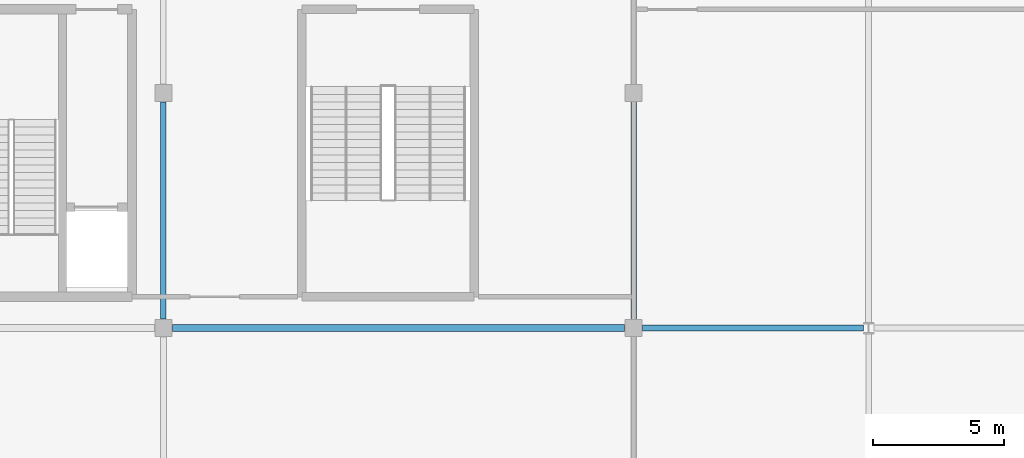
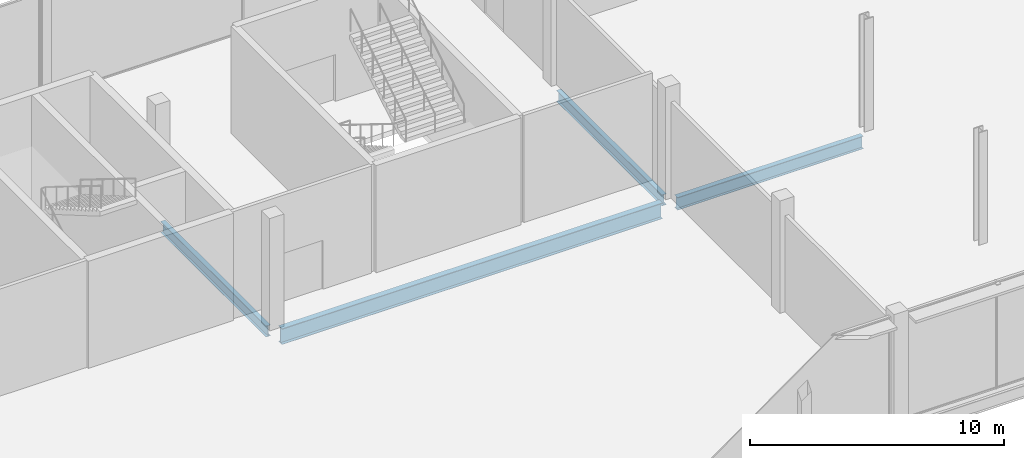
# One storey, part 47 of 113: 4 beams.
"""IFC4 building model written with IfcOpenShell, lengths in metres."""

import ifcopenshell
import ifcopenshell.guid

model = None  # the IFC model being written
_history = None  # IfcOwnerHistory: only IFC2X3 demands one
_inside = {}  # id of a spatial element -> (the spatial element, [elements in it])
_under = {}  # id of a project, library or spatial element -> (it, [spatial elements below it])
_declared = {}  # id of a project -> (the project, [libraries it declares])
_typed = {}  # id of a type object -> (the type object, [elements of that type])
_made_of = {}  # id of a material, layer set ... -> (it, [elements and type objects made of it])


def new_model(schema):
    """Start an empty IFC model of exactly this schema.

    Asked for "IFC4X3", IfcOpenShell would pick the latest addendum, in which some entities
    have other attributes; the version numbers below select the first issue.
    IFC2X3 requires an IfcOwnerHistory on every rooted entity: one is made here for all.
    """
    global model, _history
    if schema == "IFC4X3":
        model = ifcopenshell.file(schema_version=(4, 3, 0, 0))
    else:
        model = ifcopenshell.file(schema=schema)
    _inside.clear()
    _under.clear()
    _declared.clear()
    _typed.clear()
    _made_of.clear()
    _history = None
    if model.schema == "IFC2X3":
        org = make("IfcOrganization", Name="unknown")
        user = make(
            "IfcPersonAndOrganization",
            ThePerson=make("IfcPerson", FamilyName="unknown"),
            TheOrganization=org,
        )
        app = make(
            "IfcApplication",
            ApplicationDeveloper=org,
            Version="unknown",
            ApplicationFullName="unknown",
            ApplicationIdentifier="unknown",
        )
        _history = make(
            "IfcOwnerHistory",
            OwningUser=user,
            OwningApplication=app,
            ChangeAction="ADDED",
            CreationDate=0,
        )
    return model


def make(cls, **values):
    """One entity of the class cls with the attributes given. An attribute that is None is left unset."""
    return model.create_entity(
        cls, **{name: value for name, value in values.items() if value is not None}
    )


def rooted(cls, **values):
    """An entity with a GlobalId (a new one), such as an element, a storey or a relation."""
    return make(cls, GlobalId=ifcopenshell.guid.new(), OwnerHistory=_history, **values)


def si_unit(unit_type, name, prefix=None):
    """IfcSIUnit, for example si_unit("LENGTHUNIT", "METRE", prefix="MILLI")."""
    return make("IfcSIUnit", UnitType=unit_type, Prefix=prefix, Name=name)


def assignment(units):
    """IfcUnitAssignment: the units of a project."""
    return None if units is None else make("IfcUnitAssignment", Units=units)


def point(xyz):
    """IfcCartesianPoint."""
    return None if xyz is None else make("IfcCartesianPoint", Coordinates=xyz)


def direction(xyz):
    """IfcDirection."""
    return None if xyz is None else make("IfcDirection", DirectionRatios=xyz)


def frame(location, z_axis=None, x_axis=None):
    """IfcAxis2Placement3D, a coordinate frame: its origin and axes. An axis left out is left unset."""
    return make(
        "IfcAxis2Placement3D",
        Location=point(location),
        Axis=direction(z_axis),
        RefDirection=direction(x_axis),
    )


def frame_2d(location, x_axis=None):
    """IfcAxis2Placement2D, a coordinate frame in the plane: its origin and x axis."""
    return make(
        "IfcAxis2Placement2D", Location=point(location), RefDirection=direction(x_axis)
    )


def origin():
    """The frame at (0, 0, 0) with its axes left unset."""
    return frame((0.0, 0.0, 0.0))


def origin_2d():
    """The frame at (0, 0) in the plane with its x axis left unset."""
    return frame_2d((0.0, 0.0))


def place(relative_to, where):
    """IfcLocalPlacement: puts the frame where relative to a parent placement (None: the world)."""
    return make(
        "IfcLocalPlacement", PlacementRelTo=relative_to, RelativePlacement=where
    )


def context(
    kind, dimensions, precision=None, world=None, true_north=None, identifier=None
):
    """IfcGeometricRepresentationContext, for example the 3D "Model" context."""
    return make(
        "IfcGeometricRepresentationContext",
        ContextIdentifier=identifier,
        ContextType=kind,
        CoordinateSpaceDimension=dimensions,
        Precision=precision,
        WorldCoordinateSystem=world,
        TrueNorth=true_north,
    )


def subcontext(parent, identifier, kind, view, scale=None):
    """IfcGeometricRepresentationSubContext, for example "Body" below "Model"."""
    return make(
        "IfcGeometricRepresentationSubContext",
        ContextIdentifier=identifier,
        ContextType=kind,
        ParentContext=parent,
        TargetScale=scale,
        TargetView=view,
    )


def project(units=None, contexts=None):
    """IfcProject with its units and contexts."""
    return rooted(
        "IfcProject",
        Name="project",
        RepresentationContexts=contexts,
        UnitsInContext=assignment(units),
    )


def spatial(cls, under=None, at=None, **own):
    """A site, building, storey or space (cls), placed at a placement, below another one or the project."""
    s = rooted(cls, ObjectPlacement=at, **own)
    if under is not None:
        _under.setdefault(under.id(), (under, []))[1].append(s)
    return s


def profile(cls, at=None, kind="AREA", **sizes):
    """A parametric profile (cls). Its sizes go by their IFC names, for example OverallWidth=200.0."""
    return make(cls, ProfileType=kind, Position=at, **sizes)


def i_section(**sizes):
    """IfcIShapeProfileDef."""
    return profile("IfcIShapeProfileDef", **sizes)


def extrude(swept, where, along, depth):
    """IfcExtrudedAreaSolid: the profile swept, set in the frame where, extruded along a direction by depth."""
    return make(
        "IfcExtrudedAreaSolid",
        SweptArea=swept,
        Position=where,
        ExtrudedDirection=direction(along),
        Depth=depth,
    )


def shape(context_of_items, identifier, shape_type, items):
    """IfcShapeRepresentation: the items that make up one representation, for example the "Body"."""
    return make(
        "IfcShapeRepresentation",
        ContextOfItems=context_of_items,
        RepresentationIdentifier=identifier,
        RepresentationType=shape_type,
        Items=items,
    )


def material(Name=None, Category=None):
    """IfcMaterial."""
    return make("IfcMaterial", Name=Name, Category=Category)


def material_profile(
    of_material, cross_section, Name=None, Category=None, Priority=None
):
    """IfcMaterialProfile: a cross section and its material."""
    return make(
        "IfcMaterialProfile",
        Name=Name,
        Material=of_material,
        Profile=cross_section,
        Priority=Priority,
        Category=Category,
    )


def profile_set(profiles, Name=None, composite=None):
    """IfcMaterialProfileSet."""
    return make(
        "IfcMaterialProfileSet",
        Name=Name,
        MaterialProfiles=profiles,
        CompositeProfile=composite,
    )


def made_of(thing, what):
    """Note that an element or type object is made of a material, layer set ...; save() writes the relation."""
    if what is not None:
        _made_of.setdefault(what.id(), (what, []))[1].append(thing)
    return thing


def type_object(cls, material=None, **own):
    """A type object (cls), such as IfcWallType, which elements share."""
    return made_of(rooted(cls, **own), material)


def element(
    cls,
    number,
    at=None,
    inside=None,
    cuts=None,
    type_object=None,
    material=None,
    context=None,
    identifier="Body",
    shape_type=None,
    held_by="IfcProductDefinitionShape",
    body=None,
    shapes=None,
    **own,
):
    """One element of the class cls, such as IfcWall. Its Tag is "e" and its number.

    at: its placement. inside: the storey or other place that contains it. cuts: it is an
    opening in that element (IfcRelVoidsElement). A single representation is given by context,
    identifier, shape_type and body (its items); several are given by shapes. held_by: the class
    of the entity that holds the representations. save() writes the other relations.
    """
    e = rooted(cls, Tag="e%d" % number, ObjectPlacement=at, **own)
    if body is not None:
        shapes = [shape(context, identifier, shape_type, body)]
    if shapes is not None:
        e.Representation = make(held_by, Representations=shapes)
    if inside is not None:
        _inside.setdefault(inside.id(), (inside, []))[1].append(e)
    if cuts is not None:
        rooted(
            "IfcRelVoidsElement", RelatingBuildingElement=cuts, RelatedOpeningElement=e
        )
    if type_object is not None:
        _typed.setdefault(type_object.id(), (type_object, []))[1].append(e)
    return made_of(e, material)


def aggregate(whole, parts):
    """IfcRelAggregates: a whole, such as a stair, and the parts it consists of."""
    return rooted("IfcRelAggregates", RelatingObject=whole, RelatedObjects=parts)


def save(model, path):
    """Write the relations noted so far, then the file.

    IfcRelAggregates (storeys below a building ...), IfcRelContainedInSpatialStructure (elements
    in a storey), IfcRelDefinesByType, IfcRelAssociatesMaterial and IfcRelDeclares: one each for
    every whole, place, type object, material and project.
    """
    for whole, parts in _under.values():
        aggregate(whole, parts)
    for where, things in _inside.values():
        rooted(
            "IfcRelContainedInSpatialStructure",
            RelatedElements=things,
            RelatingStructure=where,
        )
    for kind, things in _typed.values():
        rooted("IfcRelDefinesByType", RelatedObjects=things, RelatingType=kind)
    for what, things in _made_of.values():
        rooted("IfcRelAssociatesMaterial", RelatedObjects=things, RelatingMaterial=what)
    for by, libraries in _declared.values():
        rooted("IfcRelDeclares", RelatingContext=by, RelatedDefinitions=libraries)
    model.write(path)


model = new_model("IFC4")

# Units and contexts
model_context = context("Model", 3, precision=1e-05, world=origin(), true_north=direction((0.0, 1.0)))
body_context = subcontext(model_context, "Body", "Model", "MODEL_VIEW")
ifc_project = project(units=[si_unit("LENGTHUNIT", "METRE"), si_unit("AREAUNIT", "SQUARE_METRE"), si_unit("VOLUMEUNIT", "CUBIC_METRE"), si_unit("PLANEANGLEUNIT", "RADIAN"), si_unit("MASSUNIT", "GRAM", prefix="KILO")], contexts=[model_context])

# Site, building, storey
site_placement = place(None, origin())
site = spatial("IfcSite", under=ifc_project, at=site_placement, CompositionType="ELEMENT")
building_placement = place(site_placement, origin())
building = spatial("IfcBuilding", under=site, at=building_placement, Name="Kisiwana Market Hall", CompositionType="ELEMENT")
storey_placement = place(building_placement, frame((0.0, 0.0, 6.0)))
storey = spatial("IfcBuildingStorey", under=building, at=storey_placement, Name="L01", CompositionType="ELEMENT", Elevation=6.0)

# Beams
ifc_material_1 = material(Name="Steel S355", Category="steel")
ifc_material_profile_1 = material_profile(ifc_material_1, i_section(OverallWidth=0.209228515625, OverallDepth=0.533203125, WebThickness=0.010009765625, FlangeThickness=0.015625, at=origin_2d()), Name="UB 533x210x92")
ifc_profile_set_1 = profile_set([ifc_material_profile_1], Name="Steel S355")
beam_type_1 = type_object("IfcBeamType", Name="BM-GIRD-UB533", PredefinedType="BEAM", material=ifc_profile_set_1)
for number, where, z_axis, x_axis, name in (
    (1, (135.0, 18.345947265625, -0.5166015625), (0.0, 1.0, 0.0), (-1.0, 0.0, 0.0), "Primary girder B-0386"),
    (2, (153.0, 18.345947265625, -0.5166015625), (0.0, 1.0, 0.0), (-1.0, 0.0, 0.0), "Primary girder B-0393"),
):
    element("IfcBeam", number, at=place(storey_placement, frame(where, z_axis=z_axis, x_axis=x_axis)), inside=storey, type_object=beam_type_1, Name=name, PredefinedType="BEAM", context=body_context, shape_type="SweptSolid", body=[
        extrude(i_section(OverallWidth=0.209228515625, OverallDepth=0.533203125, WebThickness=0.010009765625, FlangeThickness=0.015625, at=origin_2d()), origin(), (0.0, 0.0, 1.0), 8.30810546875),
    ])
ifc_material_2 = material(Name="Steel S355", Category="steel")
ifc_material_profile_2 = material_profile(ifc_material_2, i_section(OverallWidth=0.22900390625, OverallDepth=0.6123046875, WebThickness=0.011962890625, FlangeThickness=0.01953125, at=origin_2d()), Name="UB 610x229x125")
ifc_profile_set_2 = profile_set([ifc_material_profile_2], Name="Steel S355")
beam_type_2 = type_object("IfcBeamType", Name="BM-GIRD-UB610H", PredefinedType="BEAM", material=ifc_profile_set_2)
beam_1_placement = place(storey_placement, frame((153.345947265625, 18.0, -0.55615234375), z_axis=(1.0, 0.0, 0.0), x_axis=(0.0, 1.0, 0.0)))
element("IfcBeam", 3, at=beam_1_placement, inside=storey, type_object=beam_type_2, Name="Floor beam B-0481", PredefinedType="BEAM", context=body_context, shape_type="SweptSolid", body=[
    extrude(i_section(OverallWidth=0.22900390625, OverallDepth=0.6123046875, WebThickness=0.011962890625, FlangeThickness=0.01953125, at=origin_2d()), origin(), (0.0, 0.0, 1.0), 8.4521484375),
])
ifc_material_3 = material(Name="Steel S355", Category="steel")
ifc_material_profile_3 = material_profile(ifc_material_3, i_section(OverallWidth=0.2666015625, OverallDepth=0.76220703125, WebThickness=0.014404296875, FlangeThickness=0.021484375, at=origin_2d()), Name="UB 762x267x173")
ifc_profile_set_3 = profile_set([ifc_material_profile_3], Name="Steel S355")
beam_type_3 = type_object("IfcBeamType", Name="BM-GIRD-UB762", PredefinedType="BEAM", material=ifc_profile_set_3)
beam_2_placement = place(storey_placement, frame((135.345947265625, 18.0, -0.631103515625), z_axis=(1.0, 0.0, 0.0), x_axis=(0.0, 1.0, 0.0)))
element("IfcBeam", 4, at=beam_2_placement, inside=storey, type_object=beam_type_3, Name="Floor beam B-0480", PredefinedType="BEAM", context=body_context, shape_type="SweptSolid", body=[
    extrude(i_section(OverallWidth=0.2666015625, OverallDepth=0.76220703125, WebThickness=0.014404296875, FlangeThickness=0.021484375, at=origin_2d()), origin(), (0.0, 0.0, 1.0), 17.30810546875),
])

save(model, "model.ifc")
